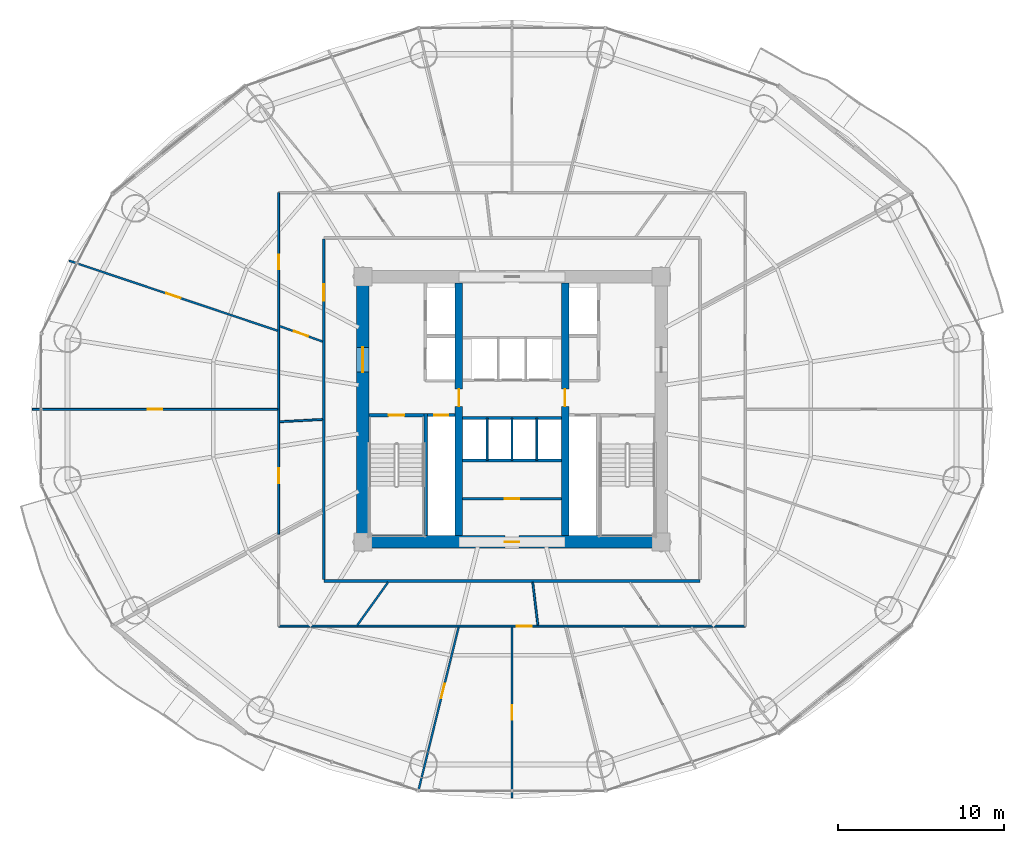
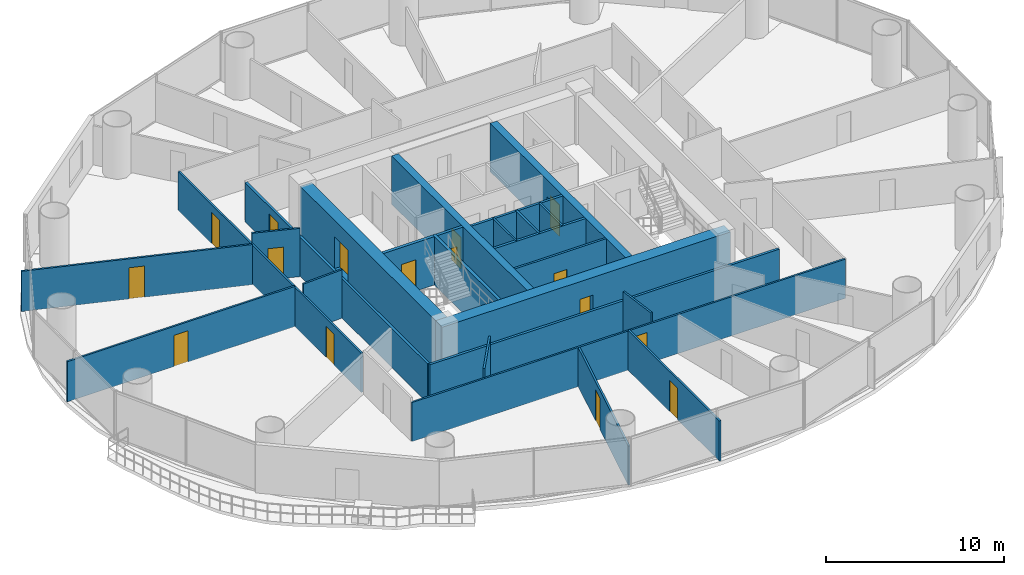
# One storey, part 23 of 30: 25 walls, 16 doors, 16 openings.
"""IFC4 building model written with IfcOpenShell, lengths in metres."""

import ifcopenshell
import ifcopenshell.guid

model = None  # the IFC model being written
_history = None  # IfcOwnerHistory: only IFC2X3 demands one
_inside = {}  # id of a spatial element -> (the spatial element, [elements in it])
_under = {}  # id of a project, library or spatial element -> (it, [spatial elements below it])
_declared = {}  # id of a project -> (the project, [libraries it declares])
_typed = {}  # id of a type object -> (the type object, [elements of that type])
_made_of = {}  # id of a material, layer set ... -> (it, [elements and type objects made of it])


def new_model(schema):
    """Start an empty IFC model of exactly this schema.

    Asked for "IFC4X3", IfcOpenShell would pick the latest addendum, in which some entities
    have other attributes; the version numbers below select the first issue.
    IFC2X3 requires an IfcOwnerHistory on every rooted entity: one is made here for all.
    """
    global model, _history
    if schema == "IFC4X3":
        model = ifcopenshell.file(schema_version=(4, 3, 0, 0))
    else:
        model = ifcopenshell.file(schema=schema)
    _inside.clear()
    _under.clear()
    _declared.clear()
    _typed.clear()
    _made_of.clear()
    _history = None
    if model.schema == "IFC2X3":
        org = make("IfcOrganization", Name="unknown")
        user = make(
            "IfcPersonAndOrganization",
            ThePerson=make("IfcPerson", FamilyName="unknown"),
            TheOrganization=org,
        )
        app = make(
            "IfcApplication",
            ApplicationDeveloper=org,
            Version="unknown",
            ApplicationFullName="unknown",
            ApplicationIdentifier="unknown",
        )
        _history = make(
            "IfcOwnerHistory",
            OwningUser=user,
            OwningApplication=app,
            ChangeAction="ADDED",
            CreationDate=0,
        )
    return model


def make(cls, **values):
    """One entity of the class cls with the attributes given. An attribute that is None is left unset."""
    return model.create_entity(
        cls, **{name: value for name, value in values.items() if value is not None}
    )


def rooted(cls, **values):
    """An entity with a GlobalId (a new one), such as an element, a storey or a relation."""
    return make(cls, GlobalId=ifcopenshell.guid.new(), OwnerHistory=_history, **values)


def si_unit(unit_type, name, prefix=None):
    """IfcSIUnit, for example si_unit("LENGTHUNIT", "METRE", prefix="MILLI")."""
    return make("IfcSIUnit", UnitType=unit_type, Prefix=prefix, Name=name)


def assignment(units):
    """IfcUnitAssignment: the units of a project."""
    return None if units is None else make("IfcUnitAssignment", Units=units)


def point(xyz):
    """IfcCartesianPoint."""
    return None if xyz is None else make("IfcCartesianPoint", Coordinates=xyz)


def direction(xyz):
    """IfcDirection."""
    return None if xyz is None else make("IfcDirection", DirectionRatios=xyz)


def frame(location, z_axis=None, x_axis=None):
    """IfcAxis2Placement3D, a coordinate frame: its origin and axes. An axis left out is left unset."""
    return make(
        "IfcAxis2Placement3D",
        Location=point(location),
        Axis=direction(z_axis),
        RefDirection=direction(x_axis),
    )


def frame_2d(location, x_axis=None):
    """IfcAxis2Placement2D, a coordinate frame in the plane: its origin and x axis."""
    return make(
        "IfcAxis2Placement2D", Location=point(location), RefDirection=direction(x_axis)
    )


def origin():
    """The frame at (0, 0, 0) with its axes left unset."""
    return frame((0.0, 0.0, 0.0))


def place(relative_to, where):
    """IfcLocalPlacement: puts the frame where relative to a parent placement (None: the world)."""
    return make(
        "IfcLocalPlacement", PlacementRelTo=relative_to, RelativePlacement=where
    )


def context(
    kind, dimensions, precision=None, world=None, true_north=None, identifier=None
):
    """IfcGeometricRepresentationContext, for example the 3D "Model" context."""
    return make(
        "IfcGeometricRepresentationContext",
        ContextIdentifier=identifier,
        ContextType=kind,
        CoordinateSpaceDimension=dimensions,
        Precision=precision,
        WorldCoordinateSystem=world,
        TrueNorth=true_north,
    )


def subcontext(parent, identifier, kind, view, scale=None):
    """IfcGeometricRepresentationSubContext, for example "Body" below "Model"."""
    return make(
        "IfcGeometricRepresentationSubContext",
        ContextIdentifier=identifier,
        ContextType=kind,
        ParentContext=parent,
        TargetScale=scale,
        TargetView=view,
    )


def project(units=None, contexts=None):
    """IfcProject with its units and contexts."""
    return rooted(
        "IfcProject",
        Name="project",
        RepresentationContexts=contexts,
        UnitsInContext=assignment(units),
    )


def spatial(cls, under=None, at=None, **own):
    """A site, building, storey or space (cls), placed at a placement, below another one or the project."""
    s = rooted(cls, ObjectPlacement=at, **own)
    if under is not None:
        _under.setdefault(under.id(), (under, []))[1].append(s)
    return s


def profile(cls, at=None, kind="AREA", **sizes):
    """A parametric profile (cls). Its sizes go by their IFC names, for example OverallWidth=200.0."""
    return make(cls, ProfileType=kind, Position=at, **sizes)


def rectangle(**sizes):
    """IfcRectangleProfileDef."""
    return profile("IfcRectangleProfileDef", **sizes)


def extrude(swept, where, along, depth):
    """IfcExtrudedAreaSolid: the profile swept, set in the frame where, extruded along a direction by depth."""
    return make(
        "IfcExtrudedAreaSolid",
        SweptArea=swept,
        Position=where,
        ExtrudedDirection=direction(along),
        Depth=depth,
    )


def shape(context_of_items, identifier, shape_type, items):
    """IfcShapeRepresentation: the items that make up one representation, for example the "Body"."""
    return make(
        "IfcShapeRepresentation",
        ContextOfItems=context_of_items,
        RepresentationIdentifier=identifier,
        RepresentationType=shape_type,
        Items=items,
    )


def source(mapping_origin, context_of_items, identifier, shape_type, items):
    """IfcRepresentationMap: a shape defined once, which mapped items show again and again."""
    return make(
        "IfcRepresentationMap",
        MappingOrigin=mapping_origin,
        MappedRepresentation=shape(context_of_items, identifier, shape_type, items),
    )


def transform(
    local_origin,
    x_axis=None,
    y_axis=None,
    z_axis=None,
    scale=None,
    scale2=None,
    scale3=None,
    uniform=True,
):
    """IfcCartesianTransformationOperator3D, or its non-uniform kind. x_axis, y_axis, z_axis: its Axis1, 2, 3."""
    if uniform:
        return make(
            "IfcCartesianTransformationOperator3D",
            Axis1=direction(x_axis),
            Axis2=direction(y_axis),
            LocalOrigin=point(local_origin),
            Scale=scale,
            Axis3=direction(z_axis),
        )
    return make(
        "IfcCartesianTransformationOperator3DnonUniform",
        Axis1=direction(x_axis),
        Axis2=direction(y_axis),
        LocalOrigin=point(local_origin),
        Scale=scale,
        Axis3=direction(z_axis),
        Scale2=scale2,
        Scale3=scale3,
    )


def mapped(mapping_source, mapping_target):
    """IfcMappedItem: shows the shape of a source again, moved by a transform."""
    return make(
        "IfcMappedItem", MappingSource=mapping_source, MappingTarget=mapping_target
    )


def material(Name=None, Category=None):
    """IfcMaterial."""
    return make("IfcMaterial", Name=Name, Category=Category)


def layer(
    of_material, thickness, ventilated=None, Name=None, Category=None, Priority=None
):
    """IfcMaterialLayer: one layer of a wall or slab, of a material (None: an air gap)."""
    return make(
        "IfcMaterialLayer",
        Material=of_material,
        LayerThickness=thickness,
        IsVentilated=ventilated,
        Name=Name,
        Category=Category,
        Priority=Priority,
    )


def layer_set(layers, Name=None):
    """IfcMaterialLayerSet."""
    return make("IfcMaterialLayerSet", MaterialLayers=layers, LayerSetName=Name)


def made_of(thing, what):
    """Note that an element or type object is made of a material, layer set ...; save() writes the relation."""
    if what is not None:
        _made_of.setdefault(what.id(), (what, []))[1].append(thing)
    return thing


def type_object(cls, material=None, **own):
    """A type object (cls), such as IfcWallType, which elements share."""
    return made_of(rooted(cls, **own), material)


def element(
    cls,
    number,
    at=None,
    inside=None,
    cuts=None,
    type_object=None,
    material=None,
    context=None,
    identifier="Body",
    shape_type=None,
    held_by="IfcProductDefinitionShape",
    body=None,
    shapes=None,
    **own,
):
    """One element of the class cls, such as IfcWall. Its Tag is "e" and its number.

    at: its placement. inside: the storey or other place that contains it. cuts: it is an
    opening in that element (IfcRelVoidsElement). A single representation is given by context,
    identifier, shape_type and body (its items); several are given by shapes. held_by: the class
    of the entity that holds the representations. save() writes the other relations.
    """
    e = rooted(cls, Tag="e%d" % number, ObjectPlacement=at, **own)
    if body is not None:
        shapes = [shape(context, identifier, shape_type, body)]
    if shapes is not None:
        e.Representation = make(held_by, Representations=shapes)
    if inside is not None:
        _inside.setdefault(inside.id(), (inside, []))[1].append(e)
    if cuts is not None:
        rooted(
            "IfcRelVoidsElement", RelatingBuildingElement=cuts, RelatedOpeningElement=e
        )
    if type_object is not None:
        _typed.setdefault(type_object.id(), (type_object, []))[1].append(e)
    return made_of(e, material)


def fill(opening, filler):
    """IfcRelFillsElement: the door or window that sits in an opening."""
    return rooted(
        "IfcRelFillsElement",
        RelatingOpeningElement=opening,
        RelatedBuildingElement=filler,
    )


def aggregate(whole, parts):
    """IfcRelAggregates: a whole, such as a stair, and the parts it consists of."""
    return rooted("IfcRelAggregates", RelatingObject=whole, RelatedObjects=parts)


def save(model, path):
    """Write the relations noted so far, then the file.

    IfcRelAggregates (storeys below a building ...), IfcRelContainedInSpatialStructure (elements
    in a storey), IfcRelDefinesByType, IfcRelAssociatesMaterial and IfcRelDeclares: one each for
    every whole, place, type object, material and project.
    """
    for whole, parts in _under.values():
        aggregate(whole, parts)
    for where, things in _inside.values():
        rooted(
            "IfcRelContainedInSpatialStructure",
            RelatedElements=things,
            RelatingStructure=where,
        )
    for kind, things in _typed.values():
        rooted("IfcRelDefinesByType", RelatedObjects=things, RelatingType=kind)
    for what, things in _made_of.values():
        rooted("IfcRelAssociatesMaterial", RelatedObjects=things, RelatingMaterial=what)
    for by, libraries in _declared.values():
        rooted("IfcRelDeclares", RelatingContext=by, RelatedDefinitions=libraries)
    model.write(path)


model = new_model("IFC4")

# Units and contexts
model_context = context("Model", 3, precision=1e-05, world=origin(), true_north=direction((-0.2419218956, 0.970295726276)))
body_context = subcontext(model_context, "Body", "Model", "MODEL_VIEW")
ifc_project = project(units=[si_unit("LENGTHUNIT", "METRE"), si_unit("AREAUNIT", "SQUARE_METRE"), si_unit("VOLUMEUNIT", "CUBIC_METRE"), si_unit("PLANEANGLEUNIT", "RADIAN"), si_unit("MASSUNIT", "GRAM", prefix="KILO")], contexts=[model_context])

# Site, building, storey
site_placement = place(None, origin())
site = spatial("IfcSite", under=ifc_project, at=site_placement, CompositionType="ELEMENT")
building_placement = place(site_placement, origin())
building = spatial("IfcBuilding", under=site, at=building_placement, Name="Cobrevalo Terracotta Tower", CompositionType="ELEMENT")
storey_placement = place(building_placement, frame((0.0, 0.0, 56.39990234375)))
storey = spatial("IfcBuildingStorey", under=building, at=storey_placement, Name="L14", CompositionType="ELEMENT", Elevation=56.39990234375)

# Wall, opening, door
ifc_material_1 = material(Name="Concrete C60", Category="concrete")
ifc_layer_1 = layer(ifc_material_1, 0.75)
ifc_layer_set_1 = layer_set([ifc_layer_1], Name="Concrete C60")
wall_type_1 = type_object("IfcWallType", Name="Core shear wall 750 mm Concrete C60", PredefinedType="SHEAR", material=ifc_layer_set_1)
wall_1_placement = place(storey_placement, frame((28.625, 18.800048828125, 0.0), z_axis=(0.0, 0.0, 1.0), x_axis=(1.0, 0.0, 0.0)))
wall_1 = element("IfcWall", 1, at=wall_1_placement, inside=storey, type_object=wall_type_1, Name="L14 south core shear wall", PredefinedType="SHEAR", context=body_context, shape_type="SweptSolid", body=[
    extrude(rectangle(XDim=18.75, YDim=0.75, at=frame_2d((9.375, 0.0))), origin(), (0.0, 0.0, 1.0), 3.320068359375),
])
opening_1_placement = place(wall_1_placement, frame((8.949951171875, 0.0, 0.0)))
opening_1 = element("IfcOpeningElement", 2, at=opening_1_placement, cuts=wall_1, Name="Opening ID-22", PredefinedType="OPENING", context=body_context, shape_type="SweptSolid", body=[
    extrude(rectangle(XDim=0.85009765625, YDim=2.10009765625, at=frame_2d((0.425048828125, 1.050048828125))), frame((0.0, 0.385009765625, 0.0), z_axis=(0.0, -1.0, 0.0), x_axis=(1.0, 0.0, 0.0)), (0.0, 0.0, 1.0), 0.77001953125),
])
ifc_material_2 = material(Name="Powder-coated steel", Category="steel")
door_type_1 = type_object("IfcDoorType", Name="Riser shaft & meter closet fire access door 850x2100 EI 60", OperationType="NOTDEFINED", PredefinedType="DOOR", material=ifc_material_2)
shared_shape_1 = source(origin(), body_context, "Body", "SweptSolid", [
    extrude(rectangle(XDim=0.85009765625, YDim=2.10009765625, at=frame_2d((0.425048828125, 1.050048828125))), frame((0.0, 0.02490234375, 0.0), z_axis=(0.0, -1.0, 0.0), x_axis=(1.0, 0.0, 0.0)), (0.0, 0.0, 1.0), 0.050048828125),
])
door_1_placement = place(opening_1_placement, origin())
door_1 = element("IfcDoor", 3, at=door_1_placement, inside=storey, type_object=door_type_1, Name="L14 core south plant door Smoke Extract Fan Plant", OperationType="SINGLE_SWING_RIGHT", OverallHeight=2.10009765625, OverallWidth=0.85009765625, PredefinedType="DOOR", context=body_context, shape_type="MappedRepresentation", body=[
    mapped(shared_shape_1, transform((0.0, 0.0, 0.0), scale=1.0)),
])
fill(opening_1, door_1)

wall_2_placement = place(storey_placement, frame((29.0, 19.175048828125, 0.0), z_axis=(0.0, 0.0, 1.0), x_axis=(0.0, 1.0, 0.0)))
wall_2 = element("IfcWall", 4, at=wall_2_placement, inside=storey, type_object=wall_type_1, Name="L14 west core shear wall", PredefinedType="SHEAR", context=body_context, shape_type="SweptSolid", body=[
    extrude(rectangle(XDim=15.25, YDim=0.75, at=frame_2d((7.625, 0.0))), origin(), (0.0, 0.0, 1.0), 3.320068359375),
])
opening_2_placement = place(wall_2_placement, frame((9.875, 0.0, 0.0)))
opening_2 = element("IfcOpeningElement", 5, at=opening_2_placement, cuts=wall_2, Name="Opening ID-14", PredefinedType="OPENING", context=body_context, shape_type="SweptSolid", body=[
    extrude(rectangle(XDim=1.5, YDim=2.199951171875, at=frame_2d((0.75, 1.10009765625))), frame((0.0, 0.385009765625, 0.0), z_axis=(0.0, -1.0, 0.0), x_axis=(1.0, 0.0, 0.0)), (0.0, 0.0, 1.0), 0.77001953125),
])
ifc_material_3 = material(Name="Galvanized fire-rated steel", Category="steel")
door_type_2 = type_object("IfcDoorType", Name="Core cross-lobby double fire door 1500x2200 EI 90", OperationType="NOTDEFINED", PredefinedType="DOOR", material=ifc_material_3)
shared_shape_2 = source(origin(), body_context, "Body", "SweptSolid", [
    extrude(rectangle(XDim=1.5, YDim=2.199951171875, at=frame_2d((0.75, 1.10009765625))), frame((0.0, 0.02490234375, 0.0), z_axis=(0.0, -1.0, 0.0), x_axis=(1.0, 0.0, 0.0)), (0.0, 0.0, 1.0), 0.050048828125),
])
door_2_placement = place(opening_2_placement, origin())
door_2 = element("IfcDoor", 6, at=door_2_placement, inside=storey, type_object=door_type_2, Name="L14 west firefighting lobby entrance door", OperationType="DOUBLE_DOOR_SINGLE_SWING", OverallHeight=2.199951171875, OverallWidth=1.5, PredefinedType="DOOR", context=body_context, shape_type="MappedRepresentation", body=[
    mapped(shared_shape_2, transform((0.0, 0.0, 0.0), scale=1.0)),
])
fill(opening_2, door_2)

# Walls
ifc_material_4 = material(Name="Gypsum board on steel stud", Category="steel")
ifc_layer_2 = layer(ifc_material_4, 0.159912109375)
ifc_layer_set_2 = layer_set([ifc_layer_2], Name="Gypsum board on steel stud")
wall_type_2 = type_object("IfcWallType", Name="Fire-rated corridor acoustic partition wall 160 mm", PredefinedType="PARTITIONING", material=ifc_layer_set_2)
for number, where, z_axis, x_axis, name in (
    (7, (35.02490234375, 26.280029296875, 0.0), (0.0, 0.0, 1.0), (1.0, 0.0, 0.0), "L14 interior partition IW-L14-MB-N"),
    (8, (35.02490234375, 23.719970703125, 0.0), (0.0, 0.0, 1.0), (1.0, 0.0, 0.0), "L14 interior partition IW-L14-MB-S"),
):
    element("IfcWall", number, at=place(storey_placement, frame(where, z_axis=z_axis, x_axis=x_axis)), inside=storey, type_object=wall_type_2, Name=name, PredefinedType="PARTITIONING", context=body_context, shape_type="SweptSolid", body=[
        extrude(rectangle(XDim=5.9501953125, YDim=0.159912109375, at=frame_2d((2.97509765625, 0.0))), origin(), (0.0, 0.0, 1.0), 3.320068359375),
    ])
wall_3_placement = place(storey_placement, frame((26.64501953125, 16.445068359375, 0.0), z_axis=(0.0, 0.0, 1.0), x_axis=(1.0, 0.0, 0.0)))
element("IfcWall", 9, at=wall_3_placement, inside=storey, type_object=wall_type_2, Name="L14 interior partition IW-L14-COR-S", PredefinedType="PARTITIONING", context=body_context, shape_type="SweptSolid", body=[
    extrude(rectangle(XDim=22.7099609375, YDim=0.159912109375, at=frame_2d((11.35498046875, 0.0))), origin(), (0.0, 0.0, 1.0), 2.68798828125),
])

# Wall, opening, door
wall_4_placement = place(storey_placement, frame((26.64501953125, 16.52490234375, 0.0), z_axis=(0.0, 0.0, 1.0), x_axis=(0.0, 1.0, 0.0)))
wall_4 = element("IfcWall", 10, at=wall_4_placement, inside=storey, type_object=wall_type_2, Name="L14 interior partition IW-L14-COR-W", PredefinedType="PARTITIONING", context=body_context, shape_type="SweptSolid", body=[
    extrude(rectangle(XDim=20.550048828125, YDim=0.159912109375, at=frame_2d((10.27490234375, 0.0))), origin(), (0.0, 0.0, 1.0), 2.68798828125),
])
opening_3_placement = place(wall_4_placement, frame((16.8369140625, 0.0, 0.0)))
opening_3 = element("IfcOpeningElement", 11, at=opening_3_placement, cuts=wall_4, Name="Opening ID-05", PredefinedType="OPENING", context=body_context, shape_type="SweptSolid", body=[
    extrude(rectangle(XDim=0.97998046875, YDim=2.199951171875, at=frame_2d((0.489990234375, 1.10009765625))), frame((0.0, 0.08984375, 0.0), z_axis=(0.0, -1.0, 0.0), x_axis=(1.0, 0.0, 0.0)), (0.0, 0.0, 1.0), 0.179931640625),
])
ifc_material_5 = material(Name="Solid hardwood timber", Category="wood")
door_type_3 = type_object("IfcDoorType", Name="Residence entrance fire-rated acoustic timber door 980x2200 EI 60", OperationType="NOTDEFINED", PredefinedType="DOOR", material=ifc_material_5)
shared_shape_3 = source(origin(), body_context, "Body", "SweptSolid", [
    extrude(rectangle(XDim=0.97998046875, YDim=2.199951171875, at=frame_2d((0.489990234375, 1.10009765625))), frame((0.0, 0.02490234375, 0.0), z_axis=(0.0, -1.0, 0.0), x_axis=(1.0, 0.0, 0.0)), (0.0, 0.0, 1.0), 0.050048828125),
])
door_3_placement = place(opening_3_placement, origin())
door_3 = element("IfcDoor", 12, at=door_3_placement, inside=storey, type_object=door_type_3, Name="Flat L14A fire-rated apartment entrance door", OperationType="SINGLE_SWING_LEFT", OverallHeight=2.199951171875, OverallWidth=0.97998046875, PredefinedType="DOOR", context=body_context, shape_type="MappedRepresentation", body=[
    mapped(shared_shape_3, transform((0.0, 0.0, 0.0), scale=1.0)),
])
fill(opening_3, door_3)

ifc_layer_3 = layer(ifc_material_4, 0.179931640625)
ifc_layer_set_3 = layer_set([ifc_layer_3], Name="Gypsum board on steel stud")
wall_type_3 = type_object("IfcWallType", Name="Fire-rated shaft & lobby acoustic partition wall 180 mm", PredefinedType="PARTITIONING", material=ifc_layer_set_3)
wall_5_placement = place(storey_placement, frame((32.89990234375, 26.449951171875, 0.0), z_axis=(0.0, 0.0, 1.0), x_axis=(1.0, 0.0, 0.0)))
wall_5 = element("IfcWall", 13, at=wall_5_placement, inside=storey, type_object=wall_type_3, Name="L14 interior partition IW-L14-RSW-N", PredefinedType="PARTITIONING", context=body_context, shape_type="SweptSolid", body=[
    extrude(rectangle(XDim=1.675048828125, YDim=0.179931640625, at=frame_2d((0.83740234375, 0.0))), origin(), (0.0, 0.0, 1.0), 3.320068359375),
])
opening_4_placement = place(wall_5_placement, frame((0.41259765625, 0.0, 0.0)))
opening_4 = element("IfcOpeningElement", 14, at=opening_4_placement, cuts=wall_5, Name="Opening ID-22", PredefinedType="OPENING", context=body_context, shape_type="SweptSolid", body=[
    extrude(rectangle(XDim=0.85009765625, YDim=2.10009765625, at=frame_2d((0.425048828125, 1.050048828125))), frame((0.0, 0.10009765625, 0.0), z_axis=(0.0, -1.0, 0.0), x_axis=(1.0, 0.0, 0.0)), (0.0, 0.0, 1.0), 0.199951171875),
])
door_4_placement = place(opening_4_placement, origin())
door_4 = element("IfcDoor", 15, at=door_4_placement, inside=storey, type_object=door_type_1, Name="L14 riser access door RSW", OperationType="SINGLE_SWING_LEFT", OverallHeight=2.10009765625, OverallWidth=0.85009765625, PredefinedType="DOOR", context=body_context, shape_type="MappedRepresentation", body=[
    mapped(shared_shape_1, transform((0.0, 0.0, 0.0), scale=1.0)),
])
fill(opening_4, door_4)

# Walls
ifc_material_6 = material(Name="Autoclaved aerated concrete block", Category="concrete")
ifc_layer_4 = layer(ifc_material_6, 0.1201171875)
ifc_layer_set_4 = layer_set([ifc_layer_4], Name="Autoclaved aerated concrete block")
wall_type_4 = type_object("IfcWallType", Name="Fire-rated wet-room & core service partition 120 mm", PredefinedType="PARTITIONING", material=ifc_layer_set_4)
for number, where, z_axis, x_axis, name in (
    (16, (36.5, 23.719970703125, 0.0), (0.0, 0.0, 1.0), (0.0, 1.0, 0.0), "L14 interior partition IW-L14-MB-D1"),
    (17, (39.5, 23.719970703125, 0.0), (0.0, 0.0, 1.0), (0.0, 1.0, 0.0), "L14 interior partition IW-L14-MB-D3"),
):
    element("IfcWall", number, at=place(storey_placement, frame(where, z_axis=z_axis, x_axis=x_axis)), inside=storey, type_object=wall_type_4, Name=name, PredefinedType="PARTITIONING", context=body_context, shape_type="SweptSolid", body=[
        extrude(rectangle(XDim=2.56005859375, YDim=0.1201171875, at=frame_2d((1.280029296875, 0.0))), origin(), (0.0, 0.0, 1.0), 3.320068359375),
    ])

# Wall, opening, door
ifc_material_7 = material(Name="Concrete C55", Category="concrete")
ifc_layer_5 = layer(ifc_material_7, 0.449951171875)
ifc_layer_set_5 = layer_set([ifc_layer_5], Name="Concrete C55")
wall_type_5 = type_object("IfcWallType", Name="Internal core shear web wall 450 mm Concrete C55", PredefinedType="SHEAR", material=ifc_layer_set_5)
wall_6_placement = place(storey_placement, frame((34.800048828125, 19.175048828125, 0.0), z_axis=(0.0, 0.0, 1.0), x_axis=(0.0, 1.0, 0.0)))
wall_6 = element("IfcWall", 18, at=wall_6_placement, inside=storey, type_object=wall_type_5, Name="L14 internal core shear wall WEB-W", PredefinedType="SHEAR", context=body_context, shape_type="SweptSolid", body=[
    extrude(rectangle(XDim=15.25, YDim=0.449951171875, at=frame_2d((7.625, 0.0))), origin(), (0.0, 0.0, 1.0), 3.320068359375),
])
opening_5_placement = place(wall_6_placement, frame((7.800048828125, 0.0, 0.0)))
opening_5 = element("IfcOpeningElement", 19, at=opening_5_placement, cuts=wall_6, Name="Opening ID-11", PredefinedType="OPENING", context=body_context, shape_type="SweptSolid", body=[
    extrude(rectangle(XDim=1.050048828125, YDim=2.14990234375, at=frame_2d((0.52490234375, 1.074951171875))), frame((0.0, 0.23486328125, 0.0), z_axis=(0.0, -1.0, 0.0), x_axis=(1.0, 0.0, 0.0)), (0.0, 0.0, 1.0), 0.469970703125),
])
door_type_4 = type_object("IfcDoorType", Name="Core concourse cross fire door 1050x2150 EI 90", OperationType="NOTDEFINED", PredefinedType="DOOR", material=ifc_material_3)
shared_shape_4 = source(origin(), body_context, "Body", "SweptSolid", [
    extrude(rectangle(XDim=1.050048828125, YDim=2.14990234375, at=frame_2d((0.52490234375, 1.074951171875))), frame((0.0, 0.02490234375, 0.0), z_axis=(0.0, -1.0, 0.0), x_axis=(1.0, 0.0, 0.0)), (0.0, 0.0, 1.0), 0.050048828125),
])
door_5_placement = place(opening_5_placement, origin())
door_5 = element("IfcDoor", 20, at=door_5_placement, inside=storey, type_object=door_type_4, Name="L14 west core concourse cross door", OperationType="SINGLE_SWING_LEFT", OverallHeight=2.14990234375, OverallWidth=1.050048828125, PredefinedType="DOOR", context=body_context, shape_type="MappedRepresentation", body=[
    mapped(shared_shape_4, transform((0.0, 0.0, 0.0), scale=1.0)),
])
fill(opening_5, door_5)

wall_7_placement = place(storey_placement, frame((41.199951171875, 19.175048828125, 0.0), z_axis=(0.0, 0.0, 1.0), x_axis=(0.0, 1.0, 0.0)))
wall_7 = element("IfcWall", 21, at=wall_7_placement, inside=storey, type_object=wall_type_5, Name="L14 internal core shear wall WEB-E", PredefinedType="SHEAR", context=body_context, shape_type="SweptSolid", body=[
    extrude(rectangle(XDim=15.25, YDim=0.449951171875, at=frame_2d((7.625, 0.0))), origin(), (0.0, 0.0, 1.0), 3.320068359375),
])
opening_6_placement = place(wall_7_placement, frame((7.800048828125, 0.0, 0.0)))
opening_6 = element("IfcOpeningElement", 22, at=opening_6_placement, cuts=wall_7, Name="Opening ID-11", PredefinedType="OPENING", context=body_context, shape_type="SweptSolid", body=[
    extrude(rectangle(XDim=1.050048828125, YDim=2.14990234375, at=frame_2d((0.52490234375, 1.074951171875))), frame((0.0, 0.23486328125, 0.0), z_axis=(0.0, -1.0, 0.0), x_axis=(1.0, 0.0, 0.0)), (0.0, 0.0, 1.0), 0.469970703125),
])
door_6_placement = place(opening_6_placement, frame((1.050048828125, 0.0, 0.0), z_axis=(0.0, 0.0, 1.0), x_axis=(-1.0, 0.0, 0.0)))
door_6 = element("IfcDoor", 23, at=door_6_placement, inside=storey, type_object=door_type_4, Name="L14 east core concourse cross door", OperationType="SINGLE_SWING_RIGHT", OverallHeight=2.14990234375, OverallWidth=1.050048828125, PredefinedType="DOOR", context=body_context, shape_type="MappedRepresentation", body=[
    mapped(shared_shape_4, transform((0.0, 0.0, 0.0), scale=1.0)),
])
fill(opening_6, door_6)

# Wall
ifc_layer_6 = layer(ifc_material_6, 0.139892578125)
ifc_layer_set_6 = layer_set([ifc_layer_6], Name="Autoclaved aerated concrete block")
wall_type_6 = type_object("IfcWallType", Name="Moisture-resistant wet-room & core service partition 140 mm", PredefinedType="PARTITIONING", material=ifc_layer_set_6)
wall_8_placement = place(storey_placement, frame((38.0, 23.719970703125, 0.0), z_axis=(0.0, 0.0, 1.0), x_axis=(0.0, 1.0, 0.0)))
element("IfcWall", 24, at=wall_8_placement, inside=storey, type_object=wall_type_6, Name="L14 interior partition IW-L14-MB-D2", PredefinedType="PARTITIONING", context=body_context, shape_type="SweptSolid", body=[
    extrude(rectangle(XDim=2.56005859375, YDim=0.139892578125, at=frame_2d((1.280029296875, 0.0))), origin(), (0.0, 0.0, 1.0), 3.320068359375),
])

# Wall, opening, door
wall_9_placement = place(storey_placement, frame((35.02490234375, 21.407470703125, 0.0), z_axis=(0.0, 0.0, 1.0), x_axis=(1.0, 0.0, 0.0)))
wall_9 = element("IfcWall", 25, at=wall_9_placement, inside=storey, type_object=wall_type_6, Name="L14 interior partition IW-L14-KVS-H", PredefinedType="PARTITIONING", context=body_context, shape_type="SweptSolid", body=[
    extrude(rectangle(XDim=5.9501953125, YDim=0.139892578125, at=frame_2d((2.97509765625, 0.0))), origin(), (0.0, 0.0, 1.0), 3.320068359375),
])
opening_7_placement = place(wall_9_placement, frame((2.550048828125, 0.0, 0.0)))
opening_7 = element("IfcOpeningElement", 26, at=opening_7_placement, cuts=wall_9, Name="Opening ID-22", PredefinedType="OPENING", context=body_context, shape_type="SweptSolid", body=[
    extrude(rectangle(XDim=0.85009765625, YDim=2.10009765625, at=frame_2d((0.425048828125, 1.050048828125))), frame((0.0, 0.080078125, 0.0), z_axis=(0.0, -1.0, 0.0), x_axis=(1.0, 0.0, 0.0)), (0.0, 0.0, 1.0), 0.159912109375),
])
door_7_placement = place(opening_7_placement, origin())
door_7 = element("IfcDoor", 27, at=door_7_placement, inside=storey, type_object=door_type_1, Name="L14 core manifold inner door", OperationType="SINGLE_SWING_LEFT", OverallHeight=2.10009765625, OverallWidth=0.85009765625, PredefinedType="DOOR", context=body_context, shape_type="MappedRepresentation", body=[
    mapped(shared_shape_1, transform((0.0, 0.0, 0.0), scale=1.0)),
])
fill(opening_7, door_7)

# Wall, openings, doors
ifc_layer_7 = layer(ifc_material_4, 0.1201171875)
ifc_layer_set_7 = layer_set([ifc_layer_7], Name="Gypsum board on steel stud")
wall_type_7 = type_object("IfcWallType", Name="Residential internal acoustic stud partition 120 mm", PredefinedType="PARTITIONING", material=ifc_layer_set_7)
wall_10_placement = place(storey_placement, frame((23.9150390625, 19.275634765625, 0.0), z_axis=(0.0, 0.0, 1.0), x_axis=(0.0, 1.0, 0.0)))
wall_10 = element("IfcWall", 28, at=wall_10_placement, inside=storey, type_object=wall_type_7, Name="L14 interior partition IW-L14-U1-RING0_0", PredefinedType="PARTITIONING", context=body_context, shape_type="SweptSolid", body=[
    extrude(rectangle(XDim=20.609375, YDim=0.1201171875, at=frame_2d((10.3046875, 0.0))), origin(), (0.0, 0.0, 1.0), 2.68798828125),
])
opening_8_placement = place(wall_10_placement, frame((15.972412109375, 0.0, 0.0)))
opening_8 = element("IfcOpeningElement", 29, at=opening_8_placement, cuts=wall_10, Name="Opening ID-12", PredefinedType="OPENING", context=body_context, shape_type="SweptSolid", body=[
    extrude(rectangle(XDim=0.89990234375, YDim=2.14990234375, at=frame_2d((0.449951171875, 1.074951171875))), frame((0.0, 0.070068359375, 0.0), z_axis=(0.0, -1.0, 0.0), x_axis=(1.0, 0.0, 0.0)), (0.0, 0.0, 1.0), 0.14013671875),
])
opening_9_placement = place(wall_10_placement, frame((3.058349609375, 0.0, 0.0)))
opening_9 = element("IfcOpeningElement", 30, at=opening_9_placement, cuts=wall_10, Name="Opening ID-12", PredefinedType="OPENING", context=body_context, shape_type="SweptSolid", body=[
    extrude(rectangle(XDim=0.89990234375, YDim=2.14990234375, at=frame_2d((0.449951171875, 1.074951171875))), frame((0.0, 0.070068359375, 0.0), z_axis=(0.0, -1.0, 0.0), x_axis=(1.0, 0.0, 0.0)), (0.0, 0.0, 1.0), 0.14013671875),
])
ifc_material_8 = material(Name="Engineered timber", Category="wood")
door_type_5 = type_object("IfcDoorType", Name="Internal residence & suite timber door 900x2150", OperationType="NOTDEFINED", PredefinedType="DOOR", material=ifc_material_8)
shared_shape_5 = source(origin(), body_context, "Body", "SweptSolid", [
    extrude(rectangle(XDim=0.89990234375, YDim=2.14990234375, at=frame_2d((0.449951171875, 1.074951171875))), frame((0.0, 0.02490234375, 0.0), z_axis=(0.0, -1.0, 0.0), x_axis=(1.0, 0.0, 0.0)), (0.0, 0.0, 1.0), 0.050048828125),
])
door_8_placement = place(opening_8_placement, origin())
door_8 = element("IfcDoor", 31, at=door_8_placement, inside=storey, type_object=door_type_5, Name="Flat L14A Penthouse Family Lounge internal door", OperationType="SINGLE_SWING_RIGHT", OverallHeight=2.14990234375, OverallWidth=0.89990234375, PredefinedType="DOOR", context=body_context, shape_type="MappedRepresentation", body=[
    mapped(shared_shape_5, transform((0.0, 0.0, 0.0), scale=1.0)),
])
fill(opening_8, door_8)
door_9_placement = place(opening_9_placement, frame((0.89990234375, 0.0, 0.0), z_axis=(0.0, 0.0, 1.0), x_axis=(-1.0, 0.0, 0.0)))
door_9 = element("IfcDoor", 32, at=door_9_placement, inside=storey, type_object=door_type_5, Name="Flat L14A Utility Closet internal door", OperationType="SINGLE_SWING_LEFT", OverallHeight=2.14990234375, OverallWidth=0.89990234375, PredefinedType="DOOR", context=body_context, shape_type="MappedRepresentation", body=[
    mapped(shared_shape_5, transform((0.0, 0.0, 0.0), scale=1.0)),
])
fill(opening_9, door_9)

# Wall, opening, door
wall_11_placement = place(storey_placement, frame((23.856201171875, 31.54736328125, 0.0), z_axis=(0.0, 0.0, 1.0), x_axis=(-0.948017487737, 0.318218231634, 0.0)))
wall_11 = element("IfcWall", 33, at=wall_11_placement, inside=storey, type_object=wall_type_7, Name="L14 interior partition IW-L14-U1-ORAD4", PredefinedType="PARTITIONING", context=body_context, shape_type="SweptSolid", body=[
    extrude(rectangle(XDim=13.27880859375, YDim=0.1201171875, at=frame_2d((6.639404296875, 0.0))), origin(), (0.0, 0.0, 1.0), 2.76220703125),
])
opening_10_placement = place(wall_11_placement, frame((6.189453125, 0.0, 0.0)))
opening_10 = element("IfcOpeningElement", 34, at=opening_10_placement, cuts=wall_11, Name="Opening ID-12", PredefinedType="OPENING", context=body_context, shape_type="SweptSolid", body=[
    extrude(rectangle(XDim=0.89990234375, YDim=2.14990234375, at=frame_2d((0.449951171875, 1.074951171875))), frame((0.0, 0.070068359375, 0.0), z_axis=(0.0, -1.0, 0.0), x_axis=(1.0, 0.0, 0.0)), (0.0, 0.0, 1.0), 0.14013671875),
])
door_10_placement = place(opening_10_placement, origin())
door_10 = element("IfcDoor", 35, at=door_10_placement, inside=storey, type_object=door_type_5, Name="Flat L14A Penthouse Family Lounge internal door", OperationType="SINGLE_SWING_LEFT", OverallHeight=2.14990234375, OverallWidth=0.89990234375, PredefinedType="DOOR", context=body_context, shape_type="MappedRepresentation", body=[
    mapped(shared_shape_5, transform((0.0, 0.0, 0.0), scale=1.0)),
])
fill(opening_10, door_10)

wall_12_placement = place(storey_placement, frame((23.85302734375, 26.800048828125, 0.0), z_axis=(0.0, 0.0, 1.0), x_axis=(-1.0, 0.0, 0.0)))
wall_12 = element("IfcWall", 36, at=wall_12_placement, inside=storey, type_object=wall_type_7, Name="L14 interior partition IW-L14-U1-ORAD5", PredefinedType="PARTITIONING", context=body_context, shape_type="SweptSolid", body=[
    extrude(rectangle(XDim=14.79296875, YDim=0.1201171875, at=frame_2d((7.396484375, 0.0))), origin(), (0.0, 0.0, 1.0), 2.76220703125),
])
opening_11_placement = place(wall_12_placement, frame((6.946533203125, 0.0, 0.0)))
opening_11 = element("IfcOpeningElement", 37, at=opening_11_placement, cuts=wall_12, Name="Opening ID-12", PredefinedType="OPENING", context=body_context, shape_type="SweptSolid", body=[
    extrude(rectangle(XDim=0.89990234375, YDim=2.14990234375, at=frame_2d((0.449951171875, 1.074951171875))), frame((0.0, 0.070068359375, 0.0), z_axis=(0.0, -1.0, 0.0), x_axis=(1.0, 0.0, 0.0)), (0.0, 0.0, 1.0), 0.14013671875),
])
door_11_placement = place(opening_11_placement, origin())
door_11 = element("IfcDoor", 38, at=door_11_placement, inside=storey, type_object=door_type_5, Name="Flat L14A Private Cinema Room internal door", OperationType="SINGLE_SWING_RIGHT", OverallHeight=2.14990234375, OverallWidth=0.89990234375, PredefinedType="DOOR", context=body_context, shape_type="MappedRepresentation", body=[
    mapped(shared_shape_5, transform((0.0, 0.0, 0.0), scale=1.0)),
])
fill(opening_11, door_11)

wall_13_placement = place(storey_placement, frame((26.56494140625, 30.896484375, 0.0), z_axis=(0.0, 0.0, 1.0), x_axis=(-0.941406362049, 0.337274460186, 0.0)))
wall_13 = element("IfcWall", 39, at=wall_13_placement, inside=storey, type_object=wall_type_7, Name="L14 interior partition IW-L14-U1-IRAD4", PredefinedType="PARTITIONING", context=body_context, shape_type="SweptSolid", body=[
    extrude(rectangle(XDim=2.7529296875, YDim=0.1201171875, at=frame_2d((1.37646484375, 0.0))), origin(), (0.0, 0.0, 1.0), 3.320068359375),
])
opening_12_placement = place(wall_13_placement, frame((0.926513671875, 0.0, 0.0)))
opening_12 = element("IfcOpeningElement", 40, at=opening_12_placement, cuts=wall_13, Name="Opening ID-12", PredefinedType="OPENING", context=body_context, shape_type="SweptSolid", body=[
    extrude(rectangle(XDim=0.89990234375, YDim=2.14990234375, at=frame_2d((0.449951171875, 1.074951171875))), frame((0.0, 0.070068359375, 0.0), z_axis=(0.0, -1.0, 0.0), x_axis=(1.0, 0.0, 0.0)), (0.0, 0.0, 1.0), 0.14013671875),
])
door_12_placement = place(opening_12_placement, origin())
door_12 = element("IfcDoor", 41, at=door_12_placement, inside=storey, type_object=door_type_5, Name="Flat L14A Kitchen internal door", OperationType="SINGLE_SWING_LEFT", OverallHeight=2.14990234375, OverallWidth=0.89990234375, PredefinedType="DOOR", context=body_context, shape_type="MappedRepresentation", body=[
    mapped(shared_shape_5, transform((0.0, 0.0, 0.0), scale=1.0)),
])
fill(opening_12, door_12)

# Wall
wall_14_placement = place(storey_placement, frame((26.56494140625, 26.192626953125, 0.0), z_axis=(0.0, 0.0, 1.0), x_axis=(-0.99859273586, -0.053033460078, 0.0)))
element("IfcWall", 42, at=wall_14_placement, inside=storey, type_object=wall_type_7, Name="L14 interior partition IW-L14-U1-IRAD5", PredefinedType="PARTITIONING", context=body_context, shape_type="SweptSolid", body=[
    extrude(rectangle(XDim=2.591796875, YDim=0.1201171875, at=frame_2d((1.2958984375, 0.0))), origin(), (0.0, 0.0, 1.0), 3.320068359375),
])

# Wall, opening, door
wall_15_placement = place(storey_placement, frame((52.0849609375, 13.715087890625, 0.0), z_axis=(0.0, 0.0, 1.0), x_axis=(-1.0, 0.0, 0.0)))
wall_15 = element("IfcWall", 43, at=wall_15_placement, inside=storey, type_object=wall_type_7, Name="L14 interior partition IW-L14-U2-RING1_0", PredefinedType="PARTITIONING", context=body_context, shape_type="SweptSolid", body=[
    extrude(rectangle(XDim=28.169921875, YDim=0.1201171875, at=frame_2d((14.0849609375, 0.0))), origin(), (0.0, 0.0, 1.0), 2.68798828125),
])
opening_13_placement = place(wall_15_placement, frame((12.890625, 0.0, 0.0)))
opening_13 = element("IfcOpeningElement", 44, at=opening_13_placement, cuts=wall_15, Name="Opening ID-12", PredefinedType="OPENING", context=body_context, shape_type="SweptSolid", body=[
    extrude(rectangle(XDim=0.89990234375, YDim=2.14990234375, at=frame_2d((0.449951171875, 1.074951171875))), frame((0.0, 0.070068359375, 0.0), z_axis=(0.0, -1.0, 0.0), x_axis=(1.0, 0.0, 0.0)), (0.0, 0.0, 1.0), 0.14013671875),
])
door_13_placement = place(opening_13_placement, frame((0.89990234375, 0.0, 0.0), z_axis=(0.0, 0.0, 1.0), x_axis=(-1.0, 0.0, 0.0)))
door_13 = element("IfcDoor", 45, at=door_13_placement, inside=storey, type_object=door_type_5, Name="Flat L14B Home Office Study internal door", OperationType="SINGLE_SWING_LEFT", OverallHeight=2.14990234375, OverallWidth=0.89990234375, PredefinedType="DOOR", context=body_context, shape_type="MappedRepresentation", body=[
    mapped(shared_shape_5, transform((0.0, 0.0, 0.0), scale=1.0)),
])
fill(opening_13, door_13)

wall_16_placement = place(storey_placement, frame((34.773193359375, 13.65478515625, 0.0), z_axis=(0.0, 0.0, 1.0), x_axis=(-0.238375747469, -0.97117300365, 0.0)))
wall_16 = element("IfcWall", 46, at=wall_16_placement, inside=storey, type_object=wall_type_7, Name="L14 interior partition IW-L14-U2-ORAD1", PredefinedType="PARTITIONING", context=body_context, shape_type="SweptSolid", body=[
    extrude(rectangle(XDim=10.086181640625, YDim=0.1201171875, at=frame_2d((5.04296875, 0.0))), origin(), (0.0, 0.0, 1.0), 2.68798828125),
])
opening_14_placement = place(wall_16_placement, frame((3.51806640625, 0.0, 0.0)))
opening_14 = element("IfcOpeningElement", 47, at=opening_14_placement, cuts=wall_16, Name="Opening ID-12", PredefinedType="OPENING", context=body_context, shape_type="SweptSolid", body=[
    extrude(rectangle(XDim=0.89990234375, YDim=2.14990234375, at=frame_2d((0.449951171875, 1.074951171875))), frame((0.0, 0.070068359375, 0.0), z_axis=(0.0, -1.0, 0.0), x_axis=(1.0, 0.0, 0.0)), (0.0, 0.0, 1.0), 0.14013671875),
])
door_14_placement = place(opening_14_placement, frame((0.89990234375, 0.0, 0.0), z_axis=(0.0, 0.0, 1.0), x_axis=(-1.0, 0.0, 0.0)))
door_14 = element("IfcDoor", 48, at=door_14_placement, inside=storey, type_object=door_type_5, Name="Flat L14B Penthouse Living and Dining Room internal door", OperationType="SINGLE_SWING_LEFT", OverallHeight=2.14990234375, OverallWidth=0.89990234375, PredefinedType="DOOR", context=body_context, shape_type="MappedRepresentation", body=[
    mapped(shared_shape_5, transform((0.0, 0.0, 0.0), scale=1.0)),
])
fill(opening_14, door_14)

wall_17_placement = place(storey_placement, frame((38.0, 13.653076171875, 0.0), z_axis=(0.0, 0.0, 1.0), x_axis=(0.0, -1.0, 0.0)))
wall_17 = element("IfcWall", 49, at=wall_17_placement, inside=storey, type_object=wall_type_7, Name="L14 interior partition IW-L14-U2-ORAD2M1", PredefinedType="PARTITIONING", context=body_context, shape_type="SweptSolid", body=[
    extrude(rectangle(XDim=10.29296875, YDim=0.1201171875, at=frame_2d((5.146484375, 0.0))), origin(), (0.0, 0.0, 1.0), 2.76220703125),
])
opening_15_placement = place(wall_17_placement, frame((4.696533203125, 0.0, 0.0)))
opening_15 = element("IfcOpeningElement", 50, at=opening_15_placement, cuts=wall_17, Name="Opening ID-12", PredefinedType="OPENING", context=body_context, shape_type="SweptSolid", body=[
    extrude(rectangle(XDim=0.89990234375, YDim=2.14990234375, at=frame_2d((0.449951171875, 1.074951171875))), frame((0.0, 0.070068359375, 0.0), z_axis=(0.0, -1.0, 0.0), x_axis=(1.0, 0.0, 0.0)), (0.0, 0.0, 1.0), 0.14013671875),
])
door_15_placement = place(opening_15_placement, frame((0.89990234375, 0.0, 0.0), z_axis=(0.0, 0.0, 1.0), x_axis=(-1.0, 0.0, 0.0)))
door_15 = element("IfcDoor", 51, at=door_15_placement, inside=storey, type_object=door_type_5, Name="Flat L14B Master Bedroom internal door", OperationType="SINGLE_SWING_RIGHT", OverallHeight=2.14990234375, OverallWidth=0.89990234375, PredefinedType="DOOR", context=body_context, shape_type="MappedRepresentation", body=[
    mapped(shared_shape_5, transform((0.0, 0.0, 0.0), scale=1.0)),
])
fill(opening_15, door_15)

# Walls
wall_18_placement = place(storey_placement, frame((30.520263671875, 16.364990234375, 0.0), z_axis=(0.0, 0.0, 1.0), x_axis=(-0.582566008831, -0.812783393872, 0.0)))
element("IfcWall", 52, at=wall_18_placement, inside=storey, type_object=wall_type_7, Name="L14 interior partition IW-L14-U2-IRAD1", PredefinedType="PARTITIONING", context=body_context, shape_type="SweptSolid", body=[
    extrude(rectangle(XDim=3.198486328125, YDim=0.1201171875, at=frame_2d((1.59912109375, 0.0))), origin(), (0.0, 0.0, 1.0), 3.320068359375),
])
wall_19_placement = place(storey_placement, frame((39.251220703125, 16.364990234375, 0.0), z_axis=(0.0, 0.0, 1.0), x_axis=(0.1191230636, -0.992879497078, 0.0)))
element("IfcWall", 53, at=wall_19_placement, inside=storey, type_object=wall_type_7, Name="L14 interior partition IW-L14-U2-IRAD2", PredefinedType="PARTITIONING", context=body_context, shape_type="SweptSolid", body=[
    extrude(rectangle(XDim=2.60693359375, YDim=0.1201171875, at=frame_2d((1.303466796875, 0.0))), origin(), (0.0, 0.0, 1.0), 3.320068359375),
])
ifc_material_9 = material(Name="Concrete C50", Category="concrete")
ifc_layer_8 = layer(ifc_material_9, 0.199951171875)
ifc_layer_set_8 = layer_set([ifc_layer_8], Name="Concrete C50")
wall_type_8 = type_object("IfcWallType", Name="Structural core & podium stair-shaft RC wall 200 mm Concrete C50", PredefinedType="SOLIDWALL", material=ifc_layer_set_8)
wall_20_placement = place(storey_placement, frame((32.794921875, 19.175048828125, 0.0), z_axis=(0.0, 0.0, 1.0), x_axis=(0.0, 1.0, 0.0)))
element("IfcWall", 54, at=wall_20_placement, inside=storey, type_object=wall_type_8, Name="L14 ST-1 east structural shaft wall", PredefinedType="SOLIDWALL", context=body_context, shape_type="SweptSolid", body=[
    extrude(rectangle(XDim=7.375, YDim=0.199951171875, at=frame_2d((3.6875, 0.0))), origin(), (0.0, 0.0, 1.0), 3.320068359375),
])

# Wall, opening, door
wall_21_placement = place(storey_placement, frame((29.375, 26.449951171875, 0.0), z_axis=(0.0, 0.0, 1.0), x_axis=(1.0, 0.0, 0.0)))
wall_21 = element("IfcWall", 55, at=wall_21_placement, inside=storey, type_object=wall_type_8, Name="L14 ST-1 north structural shaft wall", PredefinedType="SOLIDWALL", context=body_context, shape_type="SweptSolid", body=[
    extrude(rectangle(XDim=3.320068359375, YDim=0.199951171875, at=frame_2d((1.66015625, 0.0))), origin(), (0.0, 0.0, 1.0), 3.320068359375),
])
opening_16_placement = place(wall_21_placement, frame((1.18505859375, 0.0, 0.0)))
opening_16 = element("IfcOpeningElement", 56, at=opening_16_placement, cuts=wall_21, Name="Opening ID-04", PredefinedType="OPENING", context=body_context, shape_type="SweptSolid", body=[
    extrude(rectangle(XDim=0.949951171875, YDim=2.14990234375, at=frame_2d((0.47509765625, 1.074951171875))), frame((0.0, 0.10986328125, 0.0), z_axis=(0.0, -1.0, 0.0), x_axis=(1.0, 0.0, 0.0)), (0.0, 0.0, 1.0), 0.219970703125),
])
door_type_6 = type_object("IfcDoorType", Name="Stair & firefighting lobby fire door 950x2150 EI 90", OperationType="NOTDEFINED", PredefinedType="DOOR", material=ifc_material_3)
shared_shape_6 = source(origin(), body_context, "Body", "SweptSolid", [
    extrude(rectangle(XDim=0.949951171875, YDim=2.14990234375, at=frame_2d((0.47509765625, 1.074951171875))), frame((0.0, 0.02490234375, 0.0), z_axis=(0.0, -1.0, 0.0), x_axis=(1.0, 0.0, 0.0)), (0.0, 0.0, 1.0), 0.050048828125),
])
door_16_placement = place(opening_16_placement, origin())
door_16 = element("IfcDoor", 57, at=door_16_placement, inside=storey, type_object=door_type_6, Name="L14 protected stair ST1 fire door", OperationType="SINGLE_SWING_LEFT", OverallHeight=2.14990234375, OverallWidth=0.949951171875, PredefinedType="DOOR", context=body_context, shape_type="MappedRepresentation", body=[
    mapped(shared_shape_6, transform((0.0, 0.0, 0.0), scale=1.0)),
])
fill(opening_16, door_16)

save(model, "model.ifc")
